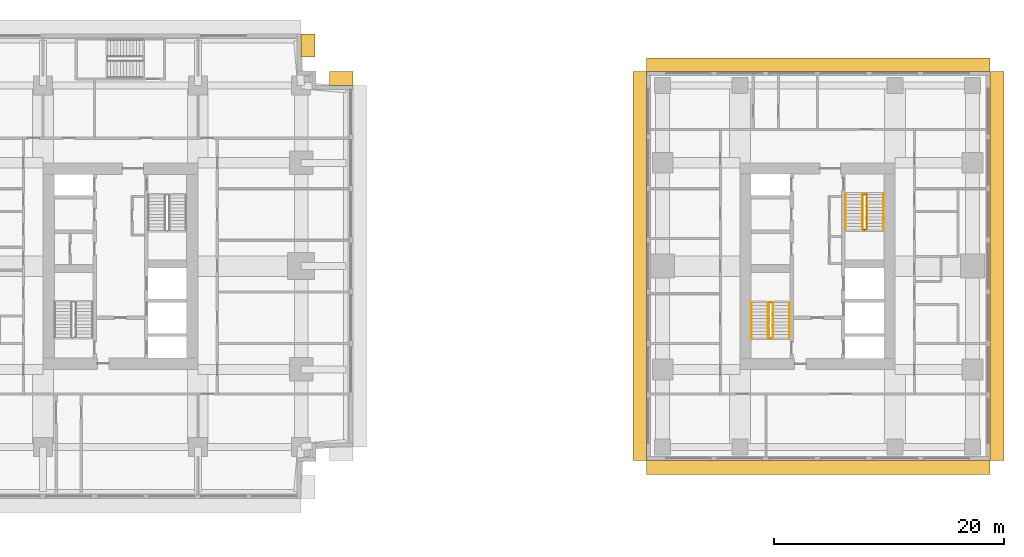
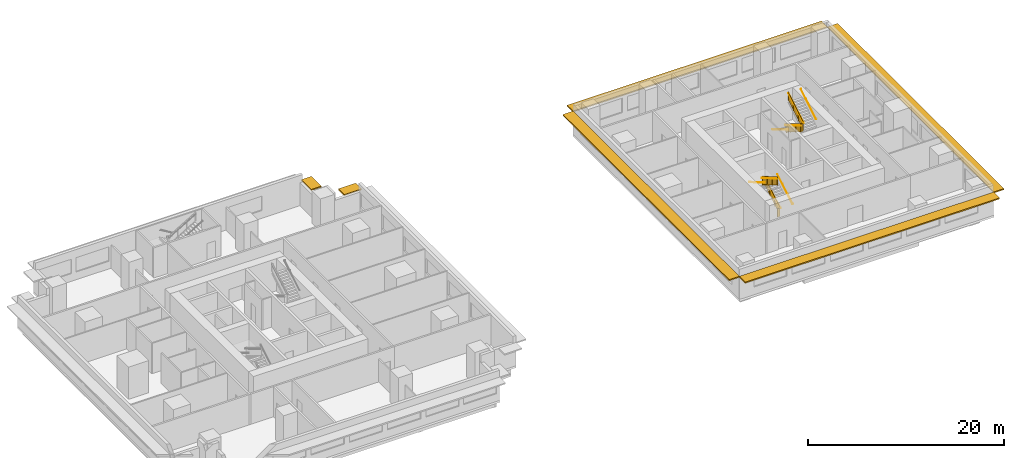
# One storey, part 11 of 11: 10 railings, 6 shading devices.
"""IFC4 building model written with IfcOpenShell, lengths in metres."""

from ifc_helpers import new_model, si_unit, direction, frame, origin, origin_2d, place, context, subcontext, project, spatial, polyline, rectangle, circle, outline, extrude, material, layer, layer_set, type_object, element, save


model = new_model("IFC4")

# Units and contexts
model_context = context("Model", 3, precision=1e-05, world=origin(), true_north=direction((0.0, 1.0)))
body_context = subcontext(model_context, "Body", "Model", "MODEL_VIEW")
ifc_project = project(units=[si_unit("LENGTHUNIT", "METRE"), si_unit("AREAUNIT", "SQUARE_METRE"), si_unit("VOLUMEUNIT", "CUBIC_METRE"), si_unit("PLANEANGLEUNIT", "RADIAN"), si_unit("MASSUNIT", "GRAM", prefix="KILO")], contexts=[model_context])

# Site, building, storey
site_placement = place(None, origin())
site = spatial("IfcSite", under=ifc_project, at=site_placement, CompositionType="ELEMENT")
building_placement = place(site_placement, origin())
building = spatial("IfcBuilding", under=site, at=building_placement, Name="Namib Vertical Campus", CompositionType="ELEMENT")
storey_placement = place(building_placement, frame((0.0, 0.0, 181.0)))
storey = spatial("IfcBuildingStorey", under=building, at=storey_placement, Name="L42", CompositionType="ELEMENT", Elevation=181.0)

# Railings
ifc_material_1 = material(Name="Steel handrail", Category="steel")
railing_type_1 = type_object("IfcRailingType", Name="Handrail 900", PredefinedType="HANDRAIL", material=ifc_material_1)
railing_1_placement = place(storey_placement, frame((78.550048828125, 14.0, 0.166748046875)))
element("IfcRailing", 1, at=railing_1_placement, inside=storey, type_object=railing_type_1, Name="Handrail HR1 B-S1 L42 1", PredefinedType="HANDRAIL", context=body_context, shape_type="SweptSolid", body=[
    extrude(circle(Radius=0.02392578125, at=origin_2d()), frame((0.0, 0.0, 0.8759765625), z_axis=(0.0, 0.859308565015, 0.511457515432), x_axis=(-1.0, 0.0, 0.0)), (0.0, 0.0, 1.0), 3.58447265625),
    extrude(circle(Radius=0.008056640625, at=origin_2d()), frame((0.0, 0.0, 0.8759765625), z_axis=(1.0, 0.0, 0.0), x_axis=(0.0, 0.0, 1.0)), (0.0, 0.0, 1.0), 0.050048828125),
    extrude(circle(Radius=0.008056640625, at=origin_2d()), frame((0.0, 1.026611328125, 1.48681640625), z_axis=(1.0, 0.0, 0.0), x_axis=(0.0, 0.0, 1.0)), (0.0, 0.0, 1.0), 0.050048828125),
    extrude(circle(Radius=0.008056640625, at=origin_2d()), frame((0.0, 2.053466796875, 2.09814453125), z_axis=(1.0, 0.0, 0.0), x_axis=(0.0, 0.0, 1.0)), (0.0, 0.0, 1.0), 0.050048828125),
    extrude(circle(Radius=0.008056640625, at=origin_2d()), frame((0.0, 3.080078125, 2.708984375), z_axis=(1.0, 0.0, 0.0), x_axis=(0.0, 0.0, 1.0)), (0.0, 0.0, 1.0), 0.050048828125),
])
railing_2_placement = place(storey_placement, frame((75.25, 17.080078125, 2.166748046875)))
element("IfcRailing", 2, at=railing_2_placement, inside=storey, type_object=railing_type_1, Name="Handrail HR1 B-S1 L42 2", PredefinedType="HANDRAIL", context=body_context, shape_type="SweptSolid", body=[
    extrude(circle(Radius=0.02392578125, at=origin_2d()), frame((0.0, 0.0, 0.8759765625), z_axis=(0.0, -0.859308565015, 0.511457515432), x_axis=(1.0, 0.0, 0.0)), (0.0, 0.0, 1.0), 3.58447265625),
    extrude(circle(Radius=0.008056640625, at=origin_2d()), frame((0.0, 0.0, 0.8759765625), z_axis=(-1.0, 0.0, 0.0), x_axis=(0.0, 0.0, 1.0)), (0.0, 0.0, 1.0), 0.050048828125),
    extrude(circle(Radius=0.008056640625, at=origin_2d()), frame((0.0, -1.026611328125, 1.48681640625), z_axis=(-1.0, 0.0, 0.0), x_axis=(0.0, 0.0, 1.0)), (0.0, 0.0, 1.0), 0.050048828125),
    extrude(circle(Radius=0.008056640625, at=origin_2d()), frame((0.0, -2.053466796875, 2.09814453125), z_axis=(-1.0, 0.0, 0.0), x_axis=(0.0, 0.0, 1.0)), (0.0, 0.0, 1.0), 0.050048828125),
    extrude(circle(Radius=0.008056640625, at=origin_2d()), frame((0.0, -3.080078125, 2.708984375), z_axis=(-1.0, 0.0, 0.0), x_axis=(0.0, 0.0, 1.0)), (0.0, 0.0, 1.0), 0.050048828125),
])
railing_3_placement = place(storey_placement, frame((77.10009765625, 14.0, 0.166748046875)))
element("IfcRailing", 3, at=railing_3_placement, inside=storey, type_object=railing_type_1, Name="Handrail HR1 B-S1 L42 1 at the well", PredefinedType="HANDRAIL", context=body_context, shape_type="SweptSolid", body=[
    extrude(circle(Radius=0.02392578125, at=origin_2d()), frame((0.0, 0.0, 0.8759765625), z_axis=(0.0, 0.859308565015, 0.511457515432), x_axis=(-1.0, 0.0, 0.0)), (0.0, 0.0, 1.0), 3.58447265625),
    extrude(circle(Radius=0.008056640625, at=origin_2d()), frame((0.0, 0.0, 0.8759765625), z_axis=(-1.0, 0.0, 0.0), x_axis=(0.0, 0.0, 1.0)), (0.0, 0.0, 1.0), 0.0400390625),
    extrude(circle(Radius=0.008056640625, at=origin_2d()), frame((0.0, 1.026611328125, 1.48681640625), z_axis=(-1.0, 0.0, 0.0), x_axis=(0.0, 0.0, 1.0)), (0.0, 0.0, 1.0), 0.0400390625),
    extrude(circle(Radius=0.008056640625, at=origin_2d()), frame((0.0, 2.053466796875, 2.09814453125), z_axis=(-1.0, 0.0, 0.0), x_axis=(0.0, 0.0, 1.0)), (0.0, 0.0, 1.0), 0.0400390625),
    extrude(circle(Radius=0.008056640625, at=origin_2d()), frame((0.0, 3.080078125, 2.708984375), z_axis=(-1.0, 0.0, 0.0), x_axis=(0.0, 0.0, 1.0)), (0.0, 0.0, 1.0), 0.0400390625),
])
railing_4_placement = place(storey_placement, frame((76.699951171875, 17.080078125, 2.166748046875)))
element("IfcRailing", 4, at=railing_4_placement, inside=storey, type_object=railing_type_1, Name="Handrail HR1 B-S1 L42 2 at the well", PredefinedType="HANDRAIL", context=body_context, shape_type="SweptSolid", body=[
    extrude(circle(Radius=0.02392578125, at=origin_2d()), frame((0.0, 0.0, 0.8759765625), z_axis=(0.0, -0.859308565015, 0.511457515432), x_axis=(1.0, 0.0, 0.0)), (0.0, 0.0, 1.0), 3.58447265625),
    extrude(circle(Radius=0.008056640625, at=origin_2d()), frame((0.0, 0.0, 0.8759765625), z_axis=(1.0, 0.0, 0.0), x_axis=(0.0, 0.0, 1.0)), (0.0, 0.0, 1.0), 0.0400390625),
    extrude(circle(Radius=0.008056640625, at=origin_2d()), frame((0.0, -1.026611328125, 1.48681640625), z_axis=(1.0, 0.0, 0.0), x_axis=(0.0, 0.0, 1.0)), (0.0, 0.0, 1.0), 0.0400390625),
    extrude(circle(Radius=0.008056640625, at=origin_2d()), frame((0.0, -2.053466796875, 2.09814453125), z_axis=(1.0, 0.0, 0.0), x_axis=(0.0, 0.0, 1.0)), (0.0, 0.0, 1.0), 0.0400390625),
    extrude(circle(Radius=0.008056640625, at=origin_2d()), frame((0.0, -3.080078125, 2.708984375), z_axis=(1.0, 0.0, 0.0), x_axis=(0.0, 0.0, 1.0)), (0.0, 0.0, 1.0), 0.0400390625),
])
railing_5_placement = place(storey_placement, frame((83.449951171875, 26.5, 0.166748046875)))
element("IfcRailing", 5, at=railing_5_placement, inside=storey, type_object=railing_type_1, Name="Handrail HR1 B-S2 L42 1", PredefinedType="HANDRAIL", context=body_context, shape_type="SweptSolid", body=[
    extrude(circle(Radius=0.02392578125, at=origin_2d()), frame((0.0, 0.0, 0.8759765625), z_axis=(0.0, -0.859308565015, 0.511457515432), x_axis=(1.0, 0.0, 0.0)), (0.0, 0.0, 1.0), 3.58447265625),
    extrude(circle(Radius=0.008056640625, at=origin_2d()), frame((0.0, 0.0, 0.8759765625), z_axis=(-1.0, 0.0, 0.0), x_axis=(0.0, 0.0, 1.0)), (0.0, 0.0, 1.0), 0.050048828125),
    extrude(circle(Radius=0.008056640625, at=origin_2d()), frame((0.0, -1.026611328125, 1.48681640625), z_axis=(-1.0, 0.0, 0.0), x_axis=(0.0, 0.0, 1.0)), (0.0, 0.0, 1.0), 0.050048828125),
    extrude(circle(Radius=0.008056640625, at=origin_2d()), frame((0.0, -2.053466796875, 2.09814453125), z_axis=(-1.0, 0.0, 0.0), x_axis=(0.0, 0.0, 1.0)), (0.0, 0.0, 1.0), 0.050048828125),
    extrude(circle(Radius=0.008056640625, at=origin_2d()), frame((0.0, -3.080078125, 2.708984375), z_axis=(-1.0, 0.0, 0.0), x_axis=(0.0, 0.0, 1.0)), (0.0, 0.0, 1.0), 0.050048828125),
])
railing_6_placement = place(storey_placement, frame((86.75, 23.419921875, 2.166748046875)))
element("IfcRailing", 6, at=railing_6_placement, inside=storey, type_object=railing_type_1, Name="Handrail HR1 B-S2 L42 2", PredefinedType="HANDRAIL", context=body_context, shape_type="SweptSolid", body=[
    extrude(circle(Radius=0.02392578125, at=origin_2d()), frame((0.0, 0.0, 0.8759765625), z_axis=(0.0, 0.859308565015, 0.511457515432), x_axis=(-1.0, 0.0, 0.0)), (0.0, 0.0, 1.0), 3.58447265625),
    extrude(circle(Radius=0.008056640625, at=origin_2d()), frame((0.0, 0.0, 0.8759765625), z_axis=(1.0, 0.0, 0.0), x_axis=(0.0, 0.0, 1.0)), (0.0, 0.0, 1.0), 0.050048828125),
    extrude(circle(Radius=0.008056640625, at=origin_2d()), frame((0.0, 1.026611328125, 1.48681640625), z_axis=(1.0, 0.0, 0.0), x_axis=(0.0, 0.0, 1.0)), (0.0, 0.0, 1.0), 0.050048828125),
    extrude(circle(Radius=0.008056640625, at=origin_2d()), frame((0.0, 2.053466796875, 2.09814453125), z_axis=(1.0, 0.0, 0.0), x_axis=(0.0, 0.0, 1.0)), (0.0, 0.0, 1.0), 0.050048828125),
    extrude(circle(Radius=0.008056640625, at=origin_2d()), frame((0.0, 3.080078125, 2.708984375), z_axis=(1.0, 0.0, 0.0), x_axis=(0.0, 0.0, 1.0)), (0.0, 0.0, 1.0), 0.050048828125),
])
railing_7_placement = place(storey_placement, frame((84.89990234375, 26.5, 0.166748046875)))
element("IfcRailing", 7, at=railing_7_placement, inside=storey, type_object=railing_type_1, Name="Handrail HR1 B-S2 L42 1 at the well", PredefinedType="HANDRAIL", context=body_context, shape_type="SweptSolid", body=[
    extrude(circle(Radius=0.02392578125, at=origin_2d()), frame((0.0, 0.0, 0.8759765625), z_axis=(0.0, -0.859308565015, 0.511457515432), x_axis=(1.0, 0.0, 0.0)), (0.0, 0.0, 1.0), 3.58447265625),
    extrude(circle(Radius=0.008056640625, at=origin_2d()), frame((0.0, 0.0, 0.8759765625), z_axis=(1.0, 0.0, 0.0), x_axis=(0.0, 0.0, 1.0)), (0.0, 0.0, 1.0), 0.0400390625),
    extrude(circle(Radius=0.008056640625, at=origin_2d()), frame((0.0, -1.026611328125, 1.48681640625), z_axis=(1.0, 0.0, 0.0), x_axis=(0.0, 0.0, 1.0)), (0.0, 0.0, 1.0), 0.0400390625),
    extrude(circle(Radius=0.008056640625, at=origin_2d()), frame((0.0, -2.053466796875, 2.09814453125), z_axis=(1.0, 0.0, 0.0), x_axis=(0.0, 0.0, 1.0)), (0.0, 0.0, 1.0), 0.0400390625),
    extrude(circle(Radius=0.008056640625, at=origin_2d()), frame((0.0, -3.080078125, 2.708984375), z_axis=(1.0, 0.0, 0.0), x_axis=(0.0, 0.0, 1.0)), (0.0, 0.0, 1.0), 0.0400390625),
])
railing_8_placement = place(storey_placement, frame((85.300048828125, 23.419921875, 2.166748046875)))
element("IfcRailing", 8, at=railing_8_placement, inside=storey, type_object=railing_type_1, Name="Handrail HR1 B-S2 L42 2 at the well", PredefinedType="HANDRAIL", context=body_context, shape_type="SweptSolid", body=[
    extrude(circle(Radius=0.02392578125, at=origin_2d()), frame((0.0, 0.0, 0.8759765625), z_axis=(0.0, 0.859308565015, 0.511457515432), x_axis=(-1.0, 0.0, 0.0)), (0.0, 0.0, 1.0), 3.58447265625),
    extrude(circle(Radius=0.008056640625, at=origin_2d()), frame((0.0, 0.0, 0.8759765625), z_axis=(-1.0, 0.0, 0.0), x_axis=(0.0, 0.0, 1.0)), (0.0, 0.0, 1.0), 0.0400390625),
    extrude(circle(Radius=0.008056640625, at=origin_2d()), frame((0.0, 1.026611328125, 1.48681640625), z_axis=(-1.0, 0.0, 0.0), x_axis=(0.0, 0.0, 1.0)), (0.0, 0.0, 1.0), 0.0400390625),
    extrude(circle(Radius=0.008056640625, at=origin_2d()), frame((0.0, 2.053466796875, 2.09814453125), z_axis=(-1.0, 0.0, 0.0), x_axis=(0.0, 0.0, 1.0)), (0.0, 0.0, 1.0), 0.0400390625),
    extrude(circle(Radius=0.008056640625, at=origin_2d()), frame((0.0, 3.080078125, 2.708984375), z_axis=(-1.0, 0.0, 0.0), x_axis=(0.0, 0.0, 1.0)), (0.0, 0.0, 1.0), 0.0400390625),
])
ifc_material_2 = material(Name="Steel balustrade", Category="steel")
railing_type_2 = type_object("IfcRailingType", Name="Stair guard 1100", PredefinedType="GUARDRAIL", material=ifc_material_2)
railing_9_placement = place(storey_placement, frame((76.75, 14.0, 0.0)))
element("IfcRailing", 9, at=railing_9_placement, inside=storey, type_object=railing_type_2, Name="Stair guard GR1 B-S1 L42", PredefinedType="GUARDRAIL", context=body_context, shape_type="SweptSolid", body=[
    extrude(circle(Radius=0.02392578125, at=origin_2d()), frame((0.0, 0.0, 1.076171875), z_axis=(1.0, 0.0, 0.0), x_axis=(0.0, 1.0, 0.0)), (0.0, 0.0, 1.0), 0.300048828125),
    extrude(outline(polyline([(0.02099609375, 0.050048828125), (0.279052734375, 0.050048828125), (0.279052734375, 1.052001953125), (0.02099609375, 1.052001953125), (0.02099609375, 0.050048828125)])), frame((0.0, 0.010009765625, 0.0), z_axis=(0.0, -1.0, 0.0), x_axis=(1.0, 0.0, 0.0)), (0.0, 0.0, 1.0), 0.02001953125),
    extrude(circle(Radius=0.02392578125, at=origin_2d()), frame((0.300048828125, 0.0, 1.076171875), z_axis=(0.0, 0.0, 1.0), x_axis=(1.0, 0.0, 0.0)), (0.0, 0.0, 1.0), 0.166748046875),
    extrude(circle(Radius=0.02392578125, at=origin_2d()), frame((0.300048828125, 0.0, 1.24267578125), z_axis=(0.0, 0.859308565015, 0.511457515432), x_axis=(-1.0, 0.0, 0.0)), (0.0, 0.0, 1.0), 3.58447265625),
    extrude(outline(polyline([(0.02099609375, 0.0625), (3.05908203125, 1.870849609375), (3.05908203125, 2.872802734375), (0.02099609375, 1.064453125), (0.02099609375, 0.0625)])), frame((0.2900390625, 0.0, 0.166748046875), z_axis=(1.0, 0.0, 0.0), x_axis=(0.0, 1.0, 0.0)), (0.0, 0.0, 1.0), 0.02001953125),
    extrude(circle(Radius=0.02392578125, at=origin_2d()), frame((0.300048828125, 3.080078125, 3.076171875), z_axis=(-1.0, 0.0, 0.0), x_axis=(0.0, -1.0, 0.0)), (0.0, 0.0, 1.0), 0.300048828125),
    extrude(outline(polyline([(0.02099609375, 0.050048828125), (0.279052734375, 0.050048828125), (0.279052734375, 1.052001953125), (0.02099609375, 1.052001953125), (0.02099609375, 0.050048828125)])), frame((0.300048828125, 3.070068359375, 2.0), z_axis=(0.0, 1.0, 0.0), x_axis=(-1.0, 0.0, 0.0)), (0.0, 0.0, 1.0), 0.02001953125),
    extrude(circle(Radius=0.02392578125, at=origin_2d()), frame((0.0, 3.080078125, 3.076171875), z_axis=(0.0, 0.0, 1.0), x_axis=(1.0, 0.0, 0.0)), (0.0, 0.0, 1.0), 0.166748046875),
    extrude(circle(Radius=0.02392578125, at=origin_2d()), frame((0.0, 3.080078125, 3.24267578125), z_axis=(0.0, -0.859308565015, 0.511457515432), x_axis=(1.0, 0.0, 0.0)), (0.0, 0.0, 1.0), 3.58447265625),
    extrude(outline(polyline([(0.02099609375, 0.0625), (3.05908203125, 1.870849609375), (3.05908203125, 2.872802734375), (0.02099609375, 1.064453125), (0.02099609375, 0.0625)])), frame((0.010009765625, 3.080078125, 2.166748046875), z_axis=(-1.0, 0.0, 0.0), x_axis=(0.0, -1.0, 0.0)), (0.0, 0.0, 1.0), 0.02001953125),
    extrude(circle(Radius=0.02392578125, at=origin_2d()), frame((0.0, 0.0, 5.076171875), z_axis=(0.0, -1.0, 0.0), x_axis=(1.0, 0.0, 0.0)), (0.0, 0.0, 1.0), 0.050048828125),
    extrude(outline(polyline([(0.02099609375, 0.050048828125), (0.029052734375, 0.050048828125), (0.029052734375, 1.052001953125), (0.02099609375, 1.052001953125), (0.02099609375, 0.050048828125)])), frame((0.010009765625, 0.0, 4.0), z_axis=(-1.0, 0.0, 0.0), x_axis=(0.0, -1.0, 0.0)), (0.0, 0.0, 1.0), 0.02001953125),
    extrude(circle(Radius=0.02099609375, at=origin_2d()), origin(), (0.0, 0.0, 1.0), 1.052001953125),
    extrude(circle(Radius=0.02099609375, at=origin_2d()), frame((0.300048828125, 0.0, 0.166748046875)), (0.0, 0.0, 1.0), 1.052001953125),
    extrude(circle(Radius=0.02099609375, at=origin_2d()), frame((0.300048828125, 1.026611328125, 0.666748046875)), (0.0, 0.0, 1.0), 1.1630859375),
    extrude(circle(Radius=0.02099609375, at=origin_2d()), frame((0.300048828125, 2.053466796875, 1.33349609375)), (0.0, 0.0, 1.0), 1.107421875),
    extrude(circle(Radius=0.02099609375, at=origin_2d()), frame((0.300048828125, 3.080078125, 2.0)), (0.0, 0.0, 1.0), 1.052001953125),
    extrude(circle(Radius=0.02099609375, at=origin_2d()), frame((0.0, 3.080078125, 2.166748046875)), (0.0, 0.0, 1.0), 1.052001953125),
    extrude(circle(Radius=0.02099609375, at=origin_2d()), frame((0.0, 2.053466796875, 2.666748046875)), (0.0, 0.0, 1.0), 1.1630859375),
    extrude(circle(Radius=0.02099609375, at=origin_2d()), frame((0.0, 1.026611328125, 3.33349609375)), (0.0, 0.0, 1.0), 1.107421875),
    extrude(circle(Radius=0.02099609375, at=origin_2d()), frame((0.0, 0.0, 4.0)), (0.0, 0.0, 1.0), 1.052001953125),
    extrude(circle(Radius=0.02099609375, at=origin_2d()), frame((0.0, -0.050048828125, 4.0)), (0.0, 0.0, 1.0), 1.052001953125),
])
railing_10_placement = place(storey_placement, frame((85.25, 26.5, 0.0)))
element("IfcRailing", 10, at=railing_10_placement, inside=storey, type_object=railing_type_2, Name="Stair guard GR1 B-S2 L42", PredefinedType="GUARDRAIL", context=body_context, shape_type="SweptSolid", body=[
    extrude(circle(Radius=0.02392578125, at=origin_2d()), frame((0.0, 0.0, 1.076171875), z_axis=(-1.0, 0.0, 0.0), x_axis=(0.0, -1.0, 0.0)), (0.0, 0.0, 1.0), 0.300048828125),
    extrude(outline(polyline([(0.02099609375, 0.050048828125), (0.279052734375, 0.050048828125), (0.279052734375, 1.052001953125), (0.02099609375, 1.052001953125), (0.02099609375, 0.050048828125)])), frame((0.0, -0.010009765625, 0.0), z_axis=(0.0, 1.0, 0.0), x_axis=(-1.0, 0.0, 0.0)), (0.0, 0.0, 1.0), 0.02001953125),
    extrude(circle(Radius=0.02392578125, at=origin_2d()), frame((-0.300048828125, 0.0, 1.076171875), z_axis=(0.0, 0.0, 1.0), x_axis=(1.0, 0.0, 0.0)), (0.0, 0.0, 1.0), 0.166748046875),
    extrude(circle(Radius=0.02392578125, at=origin_2d()), frame((-0.300048828125, 0.0, 1.24267578125), z_axis=(0.0, -0.859308565015, 0.511457515432), x_axis=(1.0, 0.0, 0.0)), (0.0, 0.0, 1.0), 3.58447265625),
    extrude(outline(polyline([(0.02099609375, 0.0625), (3.05908203125, 1.870849609375), (3.05908203125, 2.872802734375), (0.02099609375, 1.064453125), (0.02099609375, 0.0625)])), frame((-0.2900390625, 0.0, 0.166748046875), z_axis=(-1.0, 0.0, 0.0), x_axis=(0.0, -1.0, 0.0)), (0.0, 0.0, 1.0), 0.02001953125),
    extrude(circle(Radius=0.02392578125, at=origin_2d()), frame((-0.300048828125, -3.080078125, 3.076171875), z_axis=(1.0, 0.0, 0.0), x_axis=(0.0, 1.0, 0.0)), (0.0, 0.0, 1.0), 0.300048828125),
    extrude(outline(polyline([(0.02099609375, 0.050048828125), (0.279052734375, 0.050048828125), (0.279052734375, 1.052001953125), (0.02099609375, 1.052001953125), (0.02099609375, 0.050048828125)])), frame((-0.300048828125, -3.070068359375, 2.0), z_axis=(0.0, -1.0, 0.0), x_axis=(1.0, 0.0, 0.0)), (0.0, 0.0, 1.0), 0.02001953125),
    extrude(circle(Radius=0.02392578125, at=origin_2d()), frame((0.0, -3.080078125, 3.076171875), z_axis=(0.0, 0.0, 1.0), x_axis=(1.0, 0.0, 0.0)), (0.0, 0.0, 1.0), 0.166748046875),
    extrude(circle(Radius=0.02392578125, at=origin_2d()), frame((0.0, -3.080078125, 3.24267578125), z_axis=(0.0, 0.859308565015, 0.511457515432), x_axis=(-1.0, 0.0, 0.0)), (0.0, 0.0, 1.0), 3.58447265625),
    extrude(outline(polyline([(0.02099609375, 0.0625), (3.05908203125, 1.870849609375), (3.05908203125, 2.872802734375), (0.02099609375, 1.064453125), (0.02099609375, 0.0625)])), frame((-0.010009765625, -3.080078125, 2.166748046875), z_axis=(1.0, 0.0, 0.0), x_axis=(0.0, 1.0, 0.0)), (0.0, 0.0, 1.0), 0.02001953125),
    extrude(circle(Radius=0.02392578125, at=origin_2d()), frame((0.0, 0.0, 5.076171875), z_axis=(0.0, 1.0, 0.0), x_axis=(-1.0, 0.0, 0.0)), (0.0, 0.0, 1.0), 0.050048828125),
    extrude(outline(polyline([(0.02099609375, 0.050048828125), (0.029052734375, 0.050048828125), (0.029052734375, 1.052001953125), (0.02099609375, 1.052001953125), (0.02099609375, 0.050048828125)])), frame((-0.010009765625, 0.0, 4.0), z_axis=(1.0, 0.0, 0.0), x_axis=(0.0, 1.0, 0.0)), (0.0, 0.0, 1.0), 0.02001953125),
    extrude(circle(Radius=0.02099609375, at=origin_2d()), origin(), (0.0, 0.0, 1.0), 1.052001953125),
    extrude(circle(Radius=0.02099609375, at=origin_2d()), frame((-0.300048828125, 0.0, 0.166748046875)), (0.0, 0.0, 1.0), 1.052001953125),
    extrude(circle(Radius=0.02099609375, at=origin_2d()), frame((-0.300048828125, -1.026611328125, 0.666748046875)), (0.0, 0.0, 1.0), 1.1630859375),
    extrude(circle(Radius=0.02099609375, at=origin_2d()), frame((-0.300048828125, -2.053466796875, 1.33349609375)), (0.0, 0.0, 1.0), 1.107421875),
    extrude(circle(Radius=0.02099609375, at=origin_2d()), frame((-0.300048828125, -3.080078125, 2.0)), (0.0, 0.0, 1.0), 1.052001953125),
    extrude(circle(Radius=0.02099609375, at=origin_2d()), frame((0.0, -3.080078125, 2.166748046875)), (0.0, 0.0, 1.0), 1.052001953125),
    extrude(circle(Radius=0.02099609375, at=origin_2d()), frame((0.0, -2.053466796875, 2.666748046875)), (0.0, 0.0, 1.0), 1.1630859375),
    extrude(circle(Radius=0.02099609375, at=origin_2d()), frame((0.0, -1.026611328125, 3.33349609375)), (0.0, 0.0, 1.0), 1.107421875),
    extrude(circle(Radius=0.02099609375, at=origin_2d()), frame((0.0, 0.0, 4.0)), (0.0, 0.0, 1.0), 1.052001953125),
    extrude(circle(Radius=0.02099609375, at=origin_2d()), frame((0.0, 0.050048828125, 4.0)), (0.0, 0.0, 1.0), 1.052001953125),
])

# Shading devices
ifc_material_3 = material(Name="Concrete C40/50 precast", Category="concrete")
ifc_layer = layer(ifc_material_3, 0.14990234375)
ifc_layer_set = layer_set([ifc_layer], Name="Concrete C40/50 precast")
shading_device_type = type_object("IfcShadingDeviceType", Name="Sunshade hood 1200", PredefinedType="SHUTTER", material=ifc_layer_set)
for number, where, z_axis, x_axis, name in (
    (11, (39.487548828125, 36.60009765625, 2.75), (0.0, 0.0, 1.0), (-1.0, 0.0, 0.0), "Sunshade SH2 L42 7"),
    (12, (36.60009765625, 39.487548828125, 2.75), (0.0, 0.0, 1.0), (0.0, 1.0, 0.0), "Sunshade SH2 L42 10"),
):
    element("IfcShadingDevice", number, at=place(storey_placement, frame(where, z_axis=z_axis, x_axis=x_axis)), inside=storey, type_object=shading_device_type, Name=name, PredefinedType="SHUTTER", context=body_context, shape_type="SweptSolid", body=[
        extrude(rectangle(XDim=2.02490234375, YDim=1.199951171875, at=origin_2d()), origin(), (0.0, 0.0, 1.0), 0.14990234375),
    ])
shading_device_1_placement = place(storey_placement, frame((81.074951171875, 2.699951171875, 2.75), z_axis=(0.0, 0.0, 1.0), x_axis=(1.0, 0.0, 0.0)))
element("IfcShadingDevice", 13, at=shading_device_1_placement, inside=storey, type_object=shading_device_type, Name="Sunshade SH2 L42 1", PredefinedType="SHUTTER", context=body_context, shape_type="SweptSolid", body=[
    extrude(rectangle(XDim=29.949951171875, YDim=1.199951171875, at=origin_2d()), origin(), (0.0, 0.0, 1.0), 0.14990234375),
])
shading_device_2_placement = place(storey_placement, frame((96.64990234375, 20.25, 2.75), z_axis=(0.0, 0.0, 1.0), x_axis=(0.0, 1.0, 0.0)))
element("IfcShadingDevice", 14, at=shading_device_2_placement, inside=storey, type_object=shading_device_type, Name="Sunshade SH2 L42 2", PredefinedType="SHUTTER", context=body_context, shape_type="SweptSolid", body=[
    extrude(rectangle(XDim=33.89990234375, YDim=1.199951171875, at=origin_2d()), origin(), (0.0, 0.0, 1.0), 0.14990234375),
])
shading_device_3_placement = place(storey_placement, frame((81.074951171875, 37.800048828125, 2.75), z_axis=(0.0, 0.0, 1.0), x_axis=(-1.0, 0.0, 0.0)))
element("IfcShadingDevice", 15, at=shading_device_3_placement, inside=storey, type_object=shading_device_type, Name="Sunshade SH2 L42 3", PredefinedType="SHUTTER", context=body_context, shape_type="SweptSolid", body=[
    extrude(rectangle(XDim=29.949951171875, YDim=1.199951171875, at=origin_2d()), origin(), (0.0, 0.0, 1.0), 0.14990234375),
])
shading_device_4_placement = place(storey_placement, frame((65.5, 20.25, 2.75), z_axis=(0.0, 0.0, 1.0), x_axis=(0.0, -1.0, 0.0)))
element("IfcShadingDevice", 16, at=shading_device_4_placement, inside=storey, type_object=shading_device_type, Name="Sunshade SH2 L42 4", PredefinedType="SHUTTER", context=body_context, shape_type="SweptSolid", body=[
    extrude(rectangle(XDim=33.89990234375, YDim=1.199951171875, at=origin_2d()), origin(), (0.0, 0.0, 1.0), 0.14990234375),
])

save(model, "model.ifc")
